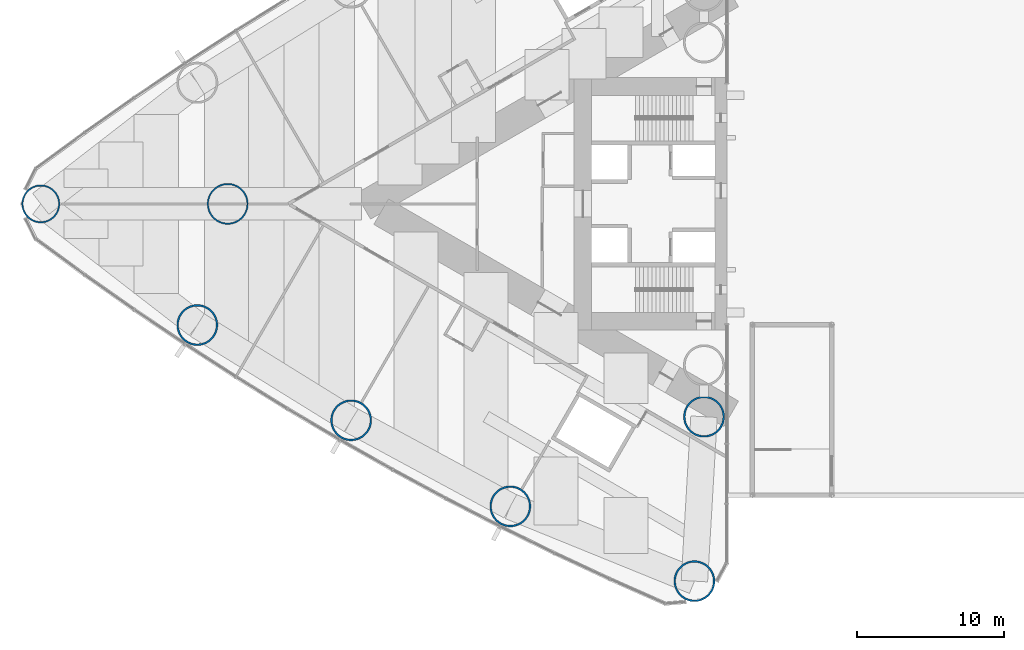
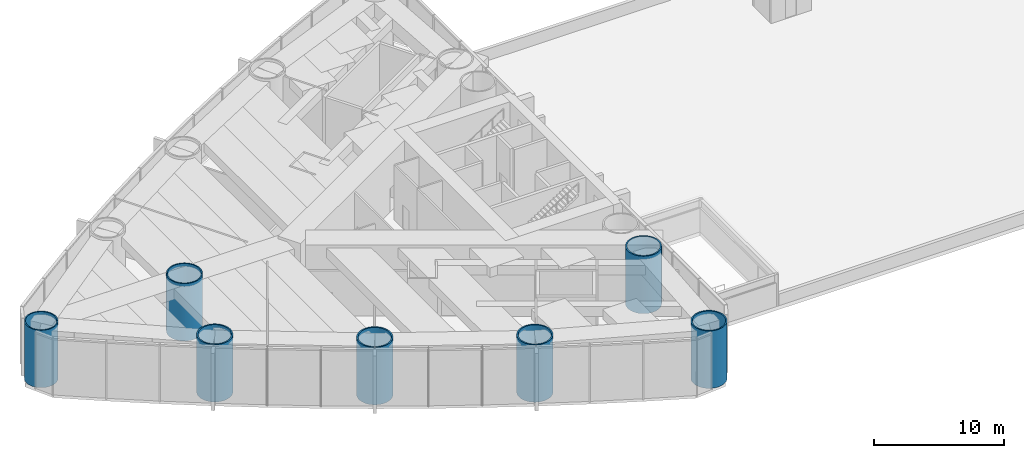
# One storey, part 1 of 23: 7 columns.
"""IFC4 building model written with IfcOpenShell, lengths in metres."""

from ifc_helpers import new_model, si_unit, direction, frame, origin, origin_2d, place, context, subcontext, project, spatial, hollow_circle, extrude, material, material_profile, profile_set, type_object, element, save


model = new_model("IFC4")

# Units and contexts
model_context = context("Model", 3, precision=1e-05, world=origin(), true_north=direction((0.0, 1.0)))
body_context = subcontext(model_context, "Body", "Model", "MODEL_VIEW")
ifc_project = project(units=[si_unit("LENGTHUNIT", "METRE"), si_unit("AREAUNIT", "SQUARE_METRE"), si_unit("VOLUMEUNIT", "CUBIC_METRE"), si_unit("PLANEANGLEUNIT", "RADIAN"), si_unit("MASSUNIT", "GRAM", prefix="KILO")], contexts=[model_context])

# Site, building, storey
site_placement = place(None, origin())
site = spatial("IfcSite", under=ifc_project, at=site_placement, CompositionType="ELEMENT")
building_placement = place(site_placement, origin())
building = spatial("IfcBuilding", under=site, at=building_placement, Name="Lancet Gate Hotel", CompositionType="ELEMENT")
storey_placement = place(building_placement, frame((0.0, 0.0, 12.60009765625)))
storey = spatial("IfcBuildingStorey", under=building, at=storey_placement, Name="L02", CompositionType="ELEMENT", Elevation=12.60009765625)

# Columns
ifc_material_1 = material(Name="Composite filled tube, grade 460 plate, grade 80/95 fill", Category="composite")
ifc_material_profile_1 = material_profile(ifc_material_1, hollow_circle(Radius=1.39990234375, WallThickness=0.10009765625, at=origin_2d()), Name="CHS 2800x100")
ifc_profile_set_1 = profile_set([ifc_material_profile_1], Name="Composite filled tube, grade 460 plate, grade 80/95 fill")
column_type_1 = type_object("IfcColumnType", Name="Apex column CFT CHS 2800x100", PredefinedType="COLUMN", material=ifc_profile_set_1)
column_1_placement = place(storey_placement, frame((-61.5, 0.0, 0.0), z_axis=(0.0, 0.0, 1.0), x_axis=(1.0, 0.0, 0.0)))
element("IfcColumn", 1, at=column_1_placement, inside=storey, type_object=column_type_1, Name="T1 column AX L02", PredefinedType="COLUMN", context=body_context, shape_type="SweptSolid", body=[
    extrude(hollow_circle(Radius=1.39990234375, WallThickness=0.10009765625, at=origin_2d()), origin(), (0.0, 0.0, 1.0), 5.39990234375),
])
ifc_material_2 = material(Name="Composite filled tube, grade 460 plate, grade 80/95 fill", Category="composite")
ifc_material_profile_2 = material_profile(ifc_material_2, hollow_circle(Radius=1.300048828125, WallThickness=0.10009765625, at=origin_2d()), Name="CHS 2600x100")
ifc_profile_set_2 = profile_set([ifc_material_profile_2], Name="Composite filled tube, grade 460 plate, grade 80/95 fill")
column_type_2 = type_object("IfcColumnType", Name="Apex corner column CFT CHS 2600x100", PredefinedType="COLUMN", material=ifc_profile_set_2)
column_2_placement = place(storey_placement, frame((-74.235107421875, 0.0, 0.0), z_axis=(0.0, 0.0, 1.0), x_axis=(1.0, 0.0, 0.0)))
element("IfcColumn", 2, at=column_2_placement, inside=storey, type_object=column_type_2, Name="T1 column CA L02", PredefinedType="COLUMN", context=body_context, shape_type="SweptSolid", body=[
    extrude(hollow_circle(Radius=1.300048828125, WallThickness=0.10009765625, at=origin_2d()), origin(), (0.0, 0.0, 1.0), 5.39990234375),
])
ifc_material_3 = material(Name="Composite filled tube, grade 460 plate, grade 80/95 fill", Category="composite")
ifc_material_profile_3 = material_profile(ifc_material_3, hollow_circle(Radius=1.39990234375, WallThickness=0.1201171875, at=origin_2d()), Name="CHS 2800x120")
ifc_profile_set_3 = profile_set([ifc_material_profile_3], Name="Composite filled tube, grade 460 plate, grade 80/95 fill")
column_type_3 = type_object("IfcColumnType", Name="Perimeter column CFT CHS 2800x120", PredefinedType="COLUMN", material=ifc_profile_set_3)
for number, where, z_axis, x_axis, name in (
    (3, (-29.703369140625, -25.70263671875, 0.0), (0.0, 0.0, 1.0), (1.0, 0.0, 0.0), "T1 column CN L02"),
    (4, (-29.050048828125, -14.5, 0.0), (0.0, 0.0, 1.0), (1.0, 0.0, 0.0), "T1 column JT L02"),
    (5, (-63.57177734375, -8.255126953125, 0.0), (0.0, 0.0, 1.0), (1.0, 0.0, 0.0), "T1 column ON1 L02"),
    (6, (-53.090087890625, -14.744873046875, 0.0), (0.0, 0.0, 1.0), (1.0, 0.0, 0.0), "T1 column ON2 L02"),
    (7, (-42.2451171875, -20.607421875, 0.0), (0.0, 0.0, 1.0), (1.0, 0.0, 0.0), "T1 column ON3 L02"),
):
    element("IfcColumn", number, at=place(storey_placement, frame(where, z_axis=z_axis, x_axis=x_axis)), inside=storey, type_object=column_type_3, Name=name, PredefinedType="COLUMN", context=body_context, shape_type="SweptSolid", body=[
        extrude(hollow_circle(Radius=1.39990234375, WallThickness=0.1201171875, at=origin_2d()), origin(), (0.0, 0.0, 1.0), 5.39990234375),
    ])

save(model, "model.ifc")
